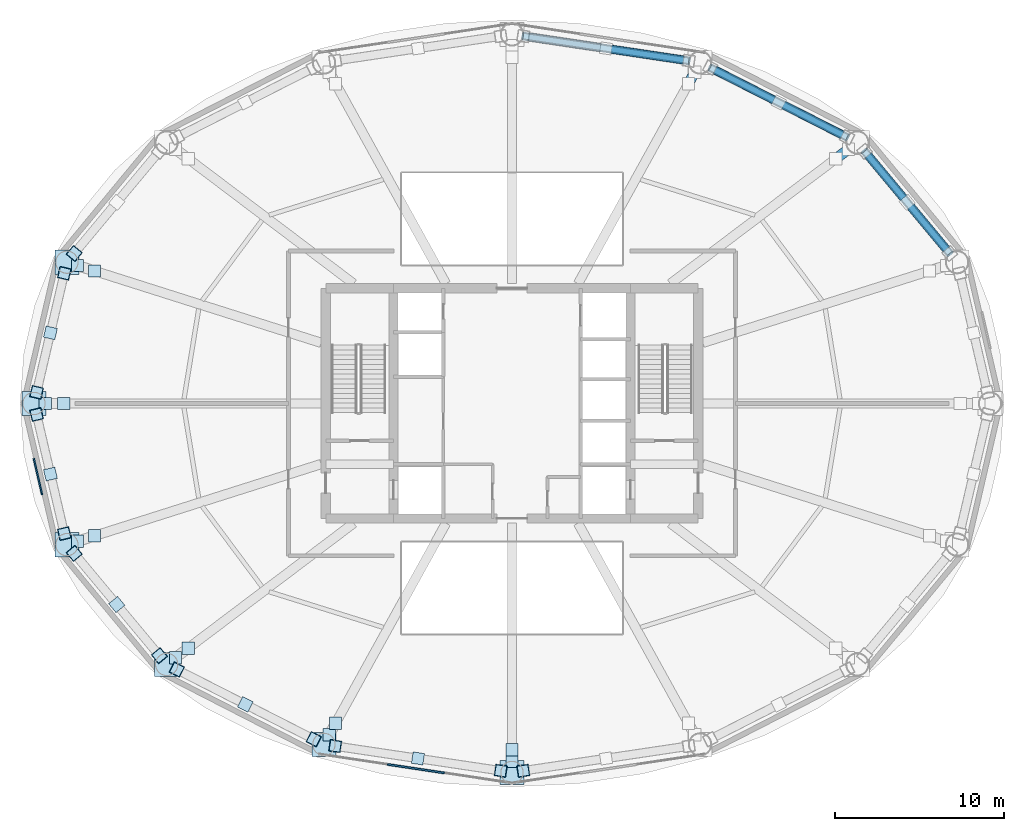
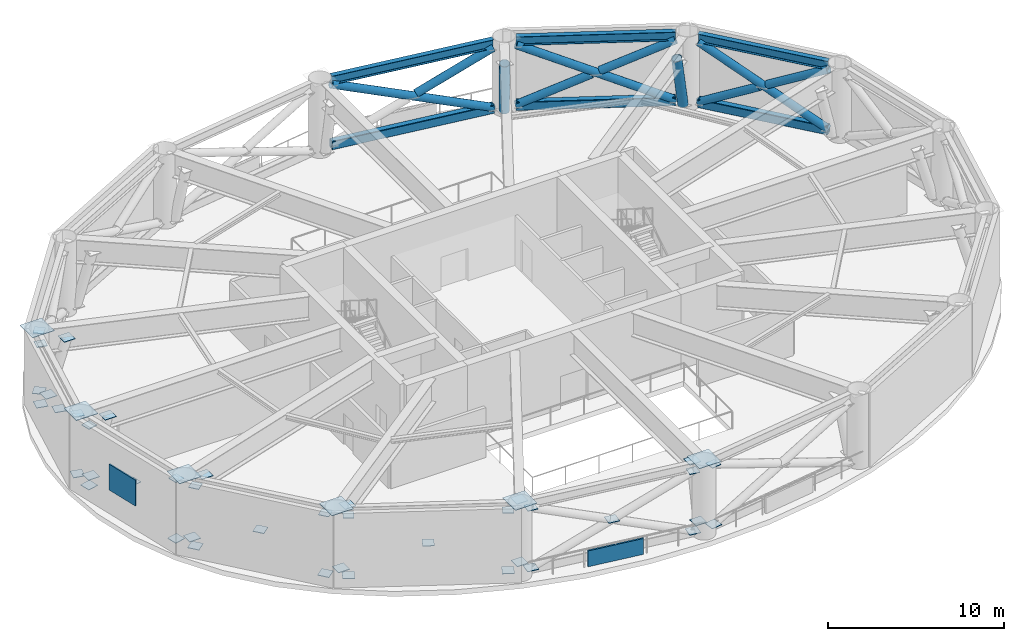
# One storey, part 3 of 8: 49 plates, 13 members, 3 beams.
"""IFC4 building model written with IfcOpenShell, lengths in metres."""

from ifc_helpers import new_model, si_unit, direction, frame, origin, origin_2d, place, context, subcontext, project, spatial, rectangle, hollow_rectangle, hollow_circle, i_section, extrude, material, layer, layer_set, material_profile, profile_set, type_object, element, save


model = new_model("IFC4")

# Units and contexts
model_context = context("Model", 3, precision=1e-05, world=origin(), true_north=direction((0.0, 1.0)))
body_context = subcontext(model_context, "Body", "Model", "MODEL_VIEW")
ifc_project = project(units=[si_unit("LENGTHUNIT", "METRE"), si_unit("AREAUNIT", "SQUARE_METRE"), si_unit("VOLUMEUNIT", "CUBIC_METRE"), si_unit("PLANEANGLEUNIT", "RADIAN"), si_unit("MASSUNIT", "GRAM", prefix="KILO")], contexts=[model_context])

# Site, building, storey
site_placement = place(None, origin())
site = spatial("IfcSite", under=ifc_project, at=site_placement, CompositionType="ELEMENT")
building_placement = place(site_placement, origin())
building = spatial("IfcBuilding", under=site, at=building_placement, Name="Sarneth Arch Tower", CompositionType="ELEMENT")
storey_placement = place(building_placement, frame((0.0, 0.0, 145.199951171875)))
storey = spatial("IfcBuildingStorey", under=building, at=storey_placement, Name="L36", CompositionType="ELEMENT", Elevation=145.199951171875)

# Beams
ifc_material_1 = material(Name="Steel S355", Category="steel")
ifc_material_profile_1 = material_profile(ifc_material_1, i_section(OverallWidth=0.323974609375, OverallDepth=0.611083984375, WebThickness=0.0126953125, FlangeThickness=0.01904296875, FilletRadius=0.01904296875, at=origin_2d()), Name="W610x155")
ifc_profile_set_1 = profile_set([ifc_material_profile_1], Name="Steel S355")
beam_type = type_object("IfcBeamType", Name="BM-SPAN-610B", PredefinedType="SPANDREL", material=ifc_profile_set_1)
beam_1_placement = place(storey_placement, frame((73.859130859375, 50.861083984375, 4.844482421875), z_axis=(-0.640169116175, 0.768234015581, 0.0), x_axis=(-0.768234015581, -0.640169116175, 0.0)))
element("IfcBeam", 1, at=beam_1_placement, inside=storey, type_object=beam_type, Name="L36 Perimeter spandrel beam 02", PredefinedType="SPANDREL", context=body_context, shape_type="SweptSolid", body=[
    extrude(i_section(OverallWidth=0.323974609375, OverallDepth=0.611083984375, WebThickness=0.0126953125, FlangeThickness=0.01904296875, FilletRadius=0.01904296875, at=origin_2d()), origin(), (0.0, 0.0, 1.0), 7.856201171875),
])
beam_2_placement = place(storey_placement, frame((67.796142578125, 57.720947265625, 4.844482421875), z_axis=(-0.891255891792, 0.453500755619, 0.0), x_axis=(-0.453500755619, -0.891255891792, 0.0)))
element("IfcBeam", 2, at=beam_2_placement, inside=storey, type_object=beam_type, Name="L36 Perimeter spandrel beam 03", PredefinedType="SPANDREL", context=body_context, shape_type="SweptSolid", body=[
    extrude(i_section(OverallWidth=0.323974609375, OverallDepth=0.611083984375, WebThickness=0.0126953125, FlangeThickness=0.01904296875, FilletRadius=0.01904296875, at=origin_2d()), origin(), (0.0, 0.0, 1.0), 9.070556640625),
])
beam_3_placement = place(storey_placement, frame((58.442626953125, 62.240234375, 4.844482421875), z_axis=(-0.989029828744, 0.147715936359, 0.0), x_axis=(-0.147715936359, -0.989029828744, 0.0)))
element("IfcBeam", 3, at=beam_3_placement, inside=storey, type_object=beam_type, Name="L36 Perimeter spandrel beam 04", PredefinedType="SPANDREL", context=body_context, shape_type="SweptSolid", body=[
    extrude(i_section(OverallWidth=0.323974609375, OverallDepth=0.611083984375, WebThickness=0.0126953125, FlangeThickness=0.01904296875, FilletRadius=0.01904296875, at=origin_2d()), origin(), (0.0, 0.0, 1.0), 9.883544921875),
])

# Members
ifc_material_2 = material(Name="Steel S355", Category="steel")
ifc_material_profile_2 = material_profile(ifc_material_2, hollow_rectangle(XDim=0.39990234375, YDim=0.60009765625, WallThickness=0.02197265625, InnerFilletRadius=0.032958984375, OuterFilletRadius=0.054931640625, at=origin_2d()), Name="RHS600x400x22")
ifc_profile_set_2 = profile_set([ifc_material_profile_2], Name="Steel S355")
member_type_1 = type_object("IfcMemberType", Name="MEM-BELT-CHORD", PredefinedType="CHORD", material=ifc_profile_set_2)
member_1_placement = place(storey_placement, frame((73.859130859375, 50.861083984375, 0.35009765625), z_axis=(-0.640169116175, 0.768234015581, 0.0), x_axis=(-0.768234015581, -0.640169116175, 0.0)))
element("IfcMember", 4, at=member_1_placement, inside=storey, type_object=member_type_1, Name="L36 Ring belt bottom chord 02", PredefinedType="CHORD", context=body_context, shape_type="SweptSolid", body=[
    extrude(hollow_rectangle(XDim=0.39990234375, YDim=0.60009765625, WallThickness=0.02197265625, InnerFilletRadius=0.032958984375, OuterFilletRadius=0.054931640625, at=origin_2d()), origin(), (0.0, 0.0, 1.0), 7.856201171875),
])
member_2_placement = place(storey_placement, frame((67.796142578125, 57.720947265625, 0.35009765625), z_axis=(-0.891255891792, 0.453500755619, 0.0), x_axis=(-0.453500755619, -0.891255891792, 0.0)))
element("IfcMember", 5, at=member_2_placement, inside=storey, type_object=member_type_1, Name="L36 Ring belt bottom chord 03", PredefinedType="CHORD", context=body_context, shape_type="SweptSolid", body=[
    extrude(hollow_rectangle(XDim=0.39990234375, YDim=0.60009765625, WallThickness=0.02197265625, InnerFilletRadius=0.032958984375, OuterFilletRadius=0.054931640625, at=origin_2d()), origin(), (0.0, 0.0, 1.0), 9.070556640625),
])
member_3_placement = place(storey_placement, frame((58.442626953125, 62.240234375, 0.35009765625), z_axis=(-0.989029828744, 0.147715936359, 0.0), x_axis=(-0.147715936359, -0.989029828744, 0.0)))
element("IfcMember", 6, at=member_3_placement, inside=storey, type_object=member_type_1, Name="L36 Ring belt bottom chord 04", PredefinedType="CHORD", context=body_context, shape_type="SweptSolid", body=[
    extrude(hollow_rectangle(XDim=0.39990234375, YDim=0.60009765625, WallThickness=0.02197265625, InnerFilletRadius=0.032958984375, OuterFilletRadius=0.054931640625, at=origin_2d()), origin(), (0.0, 0.0, 1.0), 9.883544921875),
])
ifc_material_3 = material(Name="Steel S355", Category="steel")
ifc_material_profile_3 = material_profile(ifc_material_3, hollow_circle(Radius=0.304931640625, WallThickness=0.02001953125, at=origin_2d()), Name="CHS610x20")
ifc_profile_set_3 = profile_set([ifc_material_profile_3], Name="Steel S355")
member_type_2 = type_object("IfcMemberType", Name="MEM-BELT-DIAG1", PredefinedType="BRACE", material=ifc_profile_set_3)
member_4_placement = place(storey_placement, frame((67.875, 57.020263671875, 0.449951171875), z_axis=(-0.189831474095, -0.143374034948, 0.971291870421), x_axis=(0.602688067881, -0.797976874874, 0.0)))
element("IfcMember", 7, at=member_4_placement, inside=storey, type_object=member_type_2, Name="L36 Step-taper inclined transfer strut 03", PredefinedType="BRACE", context=body_context, shape_type="SweptSolid", body=[
    extrude(hollow_circle(Radius=0.304931640625, WallThickness=0.02001953125, at=origin_2d()), origin(), (0.0, 0.0, 1.0), 3.904541015625),
])
member_5_placement = place(storey_placement, frame((58.793701171875, 61.567138671875, 0.449951171875), z_axis=(-0.096084544586, -0.174125635626, 0.980024501382), x_axis=(0.875545294298, -0.483136044643, 0.0)))
element("IfcMember", 8, at=member_5_placement, inside=storey, type_object=member_type_2, Name="L36 Step-taper inclined transfer strut 04", PredefinedType="BRACE", context=body_context, shape_type="SweptSolid", body=[
    extrude(hollow_circle(Radius=0.304931640625, WallThickness=0.02001953125, at=origin_2d()), origin(), (0.0, 0.0, 1.0), 3.869873046875),
])
ifc_material_4 = material(Name="Steel S355", Category="steel")
ifc_material_profile_4 = material_profile(ifc_material_4, hollow_circle(Radius=0.25390625, WallThickness=0.01611328125, at=origin_2d()), Name="CHS508x16")
ifc_profile_set_4 = profile_set([ifc_material_profile_4], Name="Steel S355")
member_type_3 = type_object("IfcMemberType", Name="MEM-BELT-DIAG2", PredefinedType="BRACE", material=ifc_profile_set_4)
member_6_placement = place(storey_placement, frame((73.859130859375, 50.861083984375, 0.35009765625), z_axis=(-0.56548235533, 0.678606276995, 0.468746441729), x_axis=(-0.768234015581, -0.640169116175, 0.0)))
element("IfcMember", 9, at=member_6_placement, inside=storey, type_object=member_type_3, Name="L36 Ring belt continuous diagonal A02", PredefinedType="BRACE", context=body_context, shape_type="SweptSolid", body=[
    extrude(hollow_circle(Radius=0.25390625, WallThickness=0.01611328125, at=origin_2d()), origin(), (0.0, 0.0, 1.0), 8.893798828125),
])
member_7_placement = place(storey_placement, frame((68.829833984375, 56.896484375, 0.35009765625), z_axis=(0.565475776654, -0.678617468414, 0.468738175937), x_axis=(0.768242870358, 0.640158489864, 0.0)))
element("IfcMember", 10, at=member_7_placement, inside=storey, type_object=member_type_3, Name="L36 Ring belt split diagonal B1-02", PredefinedType="BRACE", context=body_context, shape_type="SweptSolid", body=[
    extrude(hollow_circle(Radius=0.25390625, WallThickness=0.01611328125, at=origin_2d()), origin(), (0.0, 0.0, 1.0), 4.197021484375),
])
member_8_placement = place(storey_placement, frame((71.48583984375, 53.708984375, 2.5517578125), z_axis=(0.565498099482, -0.678586084812, 0.468756679933), x_axis=(0.768215881498, 0.640190877329, 0.0)))
element("IfcMember", 11, at=member_8_placement, inside=storey, type_object=member_type_3, Name="L36 Ring belt split diagonal B2-02", PredefinedType="BRACE", context=body_context, shape_type="SweptSolid", body=[
    extrude(hollow_circle(Radius=0.25390625, WallThickness=0.01611328125, at=origin_2d()), origin(), (0.0, 0.0, 1.0), 4.19677734375),
])
member_9_placement = place(storey_placement, frame((67.796142578125, 57.720947265625, 0.35009765625), z_axis=(-0.809817152588, 0.412062005978, 0.417613556537), x_axis=(-0.453500755619, -0.891255891792, 0.0)))
element("IfcMember", 12, at=member_9_placement, inside=storey, type_object=member_type_3, Name="L36 Ring belt continuous diagonal A03", PredefinedType="BRACE", context=body_context, shape_type="SweptSolid", body=[
    extrude(hollow_circle(Radius=0.25390625, WallThickness=0.01611328125, at=origin_2d()), origin(), (0.0, 0.0, 1.0), 9.982666015625),
])
member_10_placement = place(storey_placement, frame((59.7119140625, 61.83447265625, 0.35009765625), z_axis=(0.809828529359, -0.412046028609, 0.417607259687), x_axis=(0.453481727105, 0.891265573879, 0.0)))
element("IfcMember", 13, at=member_10_placement, inside=storey, type_object=member_type_3, Name="L36 Ring belt split diagonal B1-03", PredefinedType="BRACE", context=body_context, shape_type="SweptSolid", body=[
    extrude(hollow_circle(Radius=0.25390625, WallThickness=0.01611328125, at=origin_2d()), origin(), (0.0, 0.0, 1.0), 4.7412109375),
])
member_11_placement = place(storey_placement, frame((63.956298828125, 59.6748046875, 2.5390625), z_axis=(0.809829068999, -0.412071594557, 0.417580986113), x_axis=(0.453503837285, 0.89125432373, 0.0)))
element("IfcMember", 14, at=member_11_placement, inside=storey, type_object=member_type_3, Name="L36 Ring belt split diagonal B2-03", PredefinedType="BRACE", context=body_context, shape_type="SweptSolid", body=[
    extrude(hollow_circle(Radius=0.25390625, WallThickness=0.01611328125, at=origin_2d()), origin(), (0.0, 0.0, 1.0), 4.741455078125),
])
member_12_placement = place(storey_placement, frame((58.442626953125, 62.240234375, 0.35009765625), z_axis=(-0.91127929484, 0.136103553614, 0.388646200921), x_axis=(-0.147715936359, -0.989029828744, 0.0)))
element("IfcMember", 15, at=member_12_placement, inside=storey, type_object=member_type_3, Name="L36 Ring belt continuous diagonal A04", PredefinedType="BRACE", context=body_context, shape_type="SweptSolid", body=[
    extrude(hollow_circle(Radius=0.25390625, WallThickness=0.01611328125, at=origin_2d()), origin(), (0.0, 0.0, 1.0), 10.726806640625),
])
member_13_placement = place(storey_placement, frame((53.782958984375, 62.936279296875, 2.53173828125), z_axis=(0.911274714208, -0.136123033124, 0.388650119127), x_axis=(0.147737342868, 0.989026631351, 0.0)))
element("IfcMember", 16, at=member_13_placement, inside=storey, type_object=member_type_3, Name="L36 Ring belt split diagonal B2-04", PredefinedType="BRACE", context=body_context, shape_type="SweptSolid", body=[
    extrude(hollow_circle(Radius=0.25390625, WallThickness=0.01611328125, at=origin_2d()), origin(), (0.0, 0.0, 1.0), 5.11328125),
])

# Plates
ifc_material_5 = material(Name="Powder-coated Aluminium 6063-T6 stormproof acoustic louvre", Category="aluminium")
ifc_layer_1 = layer(ifc_material_5, 0.094970703125)
ifc_layer_set_1 = layer_set([ifc_layer_1], Name="Powder-coated Aluminium 6063-T6 stormproof acoustic louvre")
plate_type_1 = type_object("IfcPlateType", Name="LOUVRE-PLANT", PredefinedType="SHEET", material=ifc_layer_set_1)
plate_1_placement = place(storey_placement, frame((19.998779296875, 37.67431640625, 1.6748046875), z_axis=(0.0, 0.0, 1.0), x_axis=(0.2256312381, -0.974212781888, 0.0)))
element("IfcPlate", 17, at=plate_1_placement, inside=storey, type_object=plate_type_1, Name="L36 Mechanical louvre 09", PredefinedType="SHEET", context=body_context, shape_type="SweptSolid", body=[
    extrude(rectangle(XDim=2.199951171875, YDim=0.094970703125, at=origin_2d()), origin(), (0.0, 0.0, 1.0), 1.800048828125),
])
ifc_material_6 = material(Name="Aerodynamic Aluminium 6063-T6 wind-slot intake louvre", Category="aluminium")
ifc_layer_2 = layer(ifc_material_6, 0.110107421875)
ifc_layer_set_2 = layer_set([ifc_layer_2], Name="Aerodynamic Aluminium 6063-T6 wind-slot intake louvre")
plate_type_2 = type_object("IfcPlateType", Name="LOUVRE-TURBINE", PredefinedType="SHEET", material=ifc_layer_set_2)
plate_2_placement = place(storey_placement, frame((42.324462890625, 20.423583984375, 0.0), z_axis=(0.0, 0.0, 1.0), x_axis=(0.988886498745, -0.148672433897, 0.0)))
element("IfcPlate", 18, at=plate_2_placement, inside=storey, type_object=plate_type_2, Name="L36 Wind-slot aerodynamic intake louvre 12", PredefinedType="SHEET", context=body_context, shape_type="SweptSolid", body=[
    extrude(rectangle(XDim=3.39990234375, YDim=0.110107421875, at=origin_2d()), origin(), (0.0, 0.0, 1.0), 1.10009765625),
])
ifc_material_7 = material(Name="Steel S355", Category="steel")
ifc_layer_3 = layer(ifc_material_7, 0.035888671875)
ifc_layer_set_3 = layer_set([ifc_layer_3], Name="Steel S355")
plate_type_3 = type_object("IfcPlateType", Name="PLT-GUSSET-30", PredefinedType="SHEET", material=ifc_layer_set_3)
plate_3_placement = place(storey_placement, frame((22.140869140625, 50.861083984375, 0.33203125), z_axis=(0.0, 0.0, 1.0), x_axis=(-0.640109699485, -0.768283523594, 0.0)))
element("IfcPlate", 19, at=plate_3_placement, inside=storey, type_object=plate_type_3, Name="Steel end cap plate GP-1", PredefinedType="SHEET", context=body_context, shape_type="SweptSolid", body=[
    extrude(rectangle(XDim=0.699951171875, YDim=0.699951171875, at=origin_2d()), origin(), (0.0, 0.0, 1.0), 0.035888671875),
])
plate_4_placement = place(storey_placement, frame((22.140869140625, 50.861083984375, 4.5009765625), z_axis=(0.0, 0.0, 1.0), x_axis=(-0.640109699485, -0.768283523594, 0.0)))
element("IfcPlate", 20, at=plate_4_placement, inside=storey, type_object=plate_type_3, Name="Steel end cap plate GP-1", PredefinedType="SHEET", context=body_context, shape_type="SweptSolid", body=[
    extrude(rectangle(XDim=0.6298828125, YDim=0.6298828125, at=origin_2d()), origin(), (0.0, 0.0, 1.0), 0.035888671875),
])
plate_5_placement = place(storey_placement, frame((20.736083984375, 46.171142578125, 2.41650390625), z_axis=(0.0, 0.0, 1.0), x_axis=(-0.227161248969, -0.973857159427, 0.0)))
element("IfcPlate", 21, at=plate_5_placement, inside=storey, type_object=plate_type_3, Name="Steel end cap plate GP-1", PredefinedType="SHEET", context=body_context, shape_type="SweptSolid", body=[
    extrude(rectangle(XDim=0.679931640625, YDim=0.679931640625, at=origin_2d()), origin(), (0.0, 0.0, 1.0), 0.035888671875),
])
for number, where, z_axis, x_axis, name in (
    (22, (21.555419921875, 49.68505859375, 0.33203125), (0.0, 0.0, 1.0), (0.227161248969, 0.973857159427, 0.0), "Steel end cap plate GP-1"),
    (23, (19.916748046875, 42.657470703125, 0.33203125), (0.0, 0.0, 1.0), (-0.227161248969, -0.973857159427, 0.0), "Steel end cap plate GP-1"),
):
    element("IfcPlate", number, at=place(storey_placement, frame(where, z_axis=z_axis, x_axis=x_axis)), inside=storey, type_object=plate_type_3, Name=name, PredefinedType="SHEET", context=body_context, shape_type="SweptSolid", body=[
        extrude(rectangle(XDim=0.699951171875, YDim=0.699951171875, at=origin_2d()), origin(), (0.0, 0.0, 1.0), 0.035888671875),
    ])
for number, where, z_axis, x_axis, name in (
    (24, (21.555419921875, 49.68505859375, 4.5009765625), (0.0, 0.0, 1.0), (0.227161248969, 0.973857159427, 0.0), "Steel end cap plate GP-1"),
    (25, (19.916748046875, 42.657470703125, 4.5009765625), (0.0, 0.0, 1.0), (-0.227161248969, -0.973857159427, 0.0), "Steel end cap plate GP-1"),
):
    element("IfcPlate", number, at=place(storey_placement, frame(where, z_axis=z_axis, x_axis=x_axis)), inside=storey, type_object=plate_type_3, Name=name, PredefinedType="SHEET", context=body_context, shape_type="SweptSolid", body=[
        extrude(rectangle(XDim=0.6298828125, YDim=0.6298828125, at=origin_2d()), origin(), (0.0, 0.0, 1.0), 0.035888671875),
    ])
for number, where, z_axis, x_axis, name in (
    (26, (22.333251953125, 50.14453125, 0.43212890625), (0.0, 0.0, 1.0), (1.0, 0.0, 0.0), "Steel end cap plate GP-1"),
    (27, (23.337890625, 49.825927734375, 4.224609375), (0.0, 0.0, 1.0), (1.0, 0.0, 0.0), "Steel end cap plate GP-1"),
):
    element("IfcPlate", number, at=place(storey_placement, frame(where, z_axis=z_axis, x_axis=x_axis)), inside=storey, type_object=plate_type_3, Name=name, PredefinedType="SHEET", context=body_context, shape_type="SweptSolid", body=[
        extrude(rectangle(XDim=0.72998046875, YDim=0.72998046875, at=origin_2d()), origin(), (0.0, 0.0, 1.0), 0.035888671875),
    ])
plate_6_placement = place(storey_placement, frame((20.736083984375, 37.828857421875, 2.41650390625), z_axis=(0.0, 0.0, 1.0), x_axis=(0.227161248969, -0.973857159427, 0.0)))
element("IfcPlate", 28, at=plate_6_placement, inside=storey, type_object=plate_type_3, Name="Steel end cap plate GP-1", PredefinedType="SHEET", context=body_context, shape_type="SweptSolid", body=[
    extrude(rectangle(XDim=0.679931640625, YDim=0.679931640625, at=origin_2d()), origin(), (0.0, 0.0, 1.0), 0.035888671875),
])
for number, where, z_axis, x_axis, name in (
    (29, (19.916748046875, 41.342529296875, 0.33203125), (0.0, 0.0, 1.0), (-0.227161248969, 0.973857159427, 0.0), "Steel end cap plate GP-1"),
    (30, (21.555419921875, 34.31494140625, 0.33203125), (0.0, 0.0, 1.0), (0.227161248969, -0.973857159427, 0.0), "Steel end cap plate GP-1"),
):
    element("IfcPlate", number, at=place(storey_placement, frame(where, z_axis=z_axis, x_axis=x_axis)), inside=storey, type_object=plate_type_3, Name=name, PredefinedType="SHEET", context=body_context, shape_type="SweptSolid", body=[
        extrude(rectangle(XDim=0.699951171875, YDim=0.699951171875, at=origin_2d()), origin(), (0.0, 0.0, 1.0), 0.035888671875),
    ])
for number, where, z_axis, x_axis, name in (
    (31, (19.916748046875, 41.342529296875, 4.5009765625), (0.0, 0.0, 1.0), (-0.227161248969, 0.973857159427, 0.0), "Steel end cap plate GP-1"),
    (32, (21.555419921875, 34.31494140625, 4.5009765625), (0.0, 0.0, 1.0), (0.227161248969, -0.973857159427, 0.0), "Steel end cap plate GP-1"),
):
    element("IfcPlate", number, at=place(storey_placement, frame(where, z_axis=z_axis, x_axis=x_axis)), inside=storey, type_object=plate_type_3, Name=name, PredefinedType="SHEET", context=body_context, shape_type="SweptSolid", body=[
        extrude(rectangle(XDim=0.6298828125, YDim=0.6298828125, at=origin_2d()), origin(), (0.0, 0.0, 1.0), 0.035888671875),
    ])
for number, where, z_axis, x_axis, name in (
    (33, (20.41845703125, 42.0, 0.43212890625), (0.0, 0.0, 1.0), (1.0, 0.0, 0.0), "Steel end cap plate GP-1"),
    (34, (21.512939453125, 42.0, 4.224609375), (0.0, 0.0, 1.0), (1.0, 0.0, 0.0), "Steel end cap plate GP-1"),
):
    element("IfcPlate", number, at=place(storey_placement, frame(where, z_axis=z_axis, x_axis=x_axis)), inside=storey, type_object=plate_type_3, Name=name, PredefinedType="SHEET", context=body_context, shape_type="SweptSolid", body=[
        extrude(rectangle(XDim=0.72998046875, YDim=0.72998046875, at=origin_2d()), origin(), (0.0, 0.0, 1.0), 0.035888671875),
    ])
plate_7_placement = place(storey_placement, frame((24.655517578125, 30.121337890625, 2.41650390625), z_axis=(0.0, 0.0, 1.0), x_axis=(0.640109699485, -0.768283523594, 0.0)))
element("IfcPlate", 35, at=plate_7_placement, inside=storey, type_object=plate_type_3, Name="Steel end cap plate GP-1", PredefinedType="SHEET", context=body_context, shape_type="SweptSolid", body=[
    extrude(rectangle(XDim=0.679931640625, YDim=0.679931640625, at=origin_2d()), origin(), (0.0, 0.0, 1.0), 0.035888671875),
])
for number, where, z_axis, x_axis, name in (
    (36, (22.140869140625, 33.138916015625, 0.33203125), (0.0, 0.0, 1.0), (-0.640109699485, 0.768283523594, 0.0), "Steel end cap plate GP-1"),
    (37, (27.170166015625, 27.103515625, 0.33203125), (0.0, 0.0, 1.0), (0.640109699485, -0.768283523594, 0.0), "Steel end cap plate GP-1"),
):
    element("IfcPlate", number, at=place(storey_placement, frame(where, z_axis=z_axis, x_axis=x_axis)), inside=storey, type_object=plate_type_3, Name=name, PredefinedType="SHEET", context=body_context, shape_type="SweptSolid", body=[
        extrude(rectangle(XDim=0.699951171875, YDim=0.699951171875, at=origin_2d()), origin(), (0.0, 0.0, 1.0), 0.035888671875),
    ])
for number, where, z_axis, x_axis, name in (
    (38, (22.140869140625, 33.138916015625, 4.5009765625), (0.0, 0.0, 1.0), (-0.640109699485, 0.768283523594, 0.0), "Steel end cap plate GP-1"),
    (39, (27.170166015625, 27.103515625, 4.5009765625), (0.0, 0.0, 1.0), (0.640109699485, -0.768283523594, 0.0), "Steel end cap plate GP-1"),
):
    element("IfcPlate", number, at=place(storey_placement, frame(where, z_axis=z_axis, x_axis=x_axis)), inside=storey, type_object=plate_type_3, Name=name, PredefinedType="SHEET", context=body_context, shape_type="SweptSolid", body=[
        extrude(rectangle(XDim=0.6298828125, YDim=0.6298828125, at=origin_2d()), origin(), (0.0, 0.0, 1.0), 0.035888671875),
    ])
for number, where, z_axis, x_axis, name in (
    (40, (22.333251953125, 33.85546875, 0.43212890625), (0.0, 0.0, 1.0), (1.0, 0.0, 0.0), "Steel end cap plate GP-1"),
    (41, (23.337890625, 34.174072265625, 4.224609375), (0.0, 0.0, 1.0), (1.0, 0.0, 0.0), "Steel end cap plate GP-1"),
):
    element("IfcPlate", number, at=place(storey_placement, frame(where, z_axis=z_axis, x_axis=x_axis)), inside=storey, type_object=plate_type_3, Name=name, PredefinedType="SHEET", context=body_context, shape_type="SweptSolid", body=[
        extrude(rectangle(XDim=0.72998046875, YDim=0.72998046875, at=origin_2d()), origin(), (0.0, 0.0, 1.0), 0.035888671875),
    ])
plate_8_placement = place(storey_placement, frame((32.24609375, 24.22216796875, 2.41650390625), z_axis=(0.0, 0.0, 1.0), x_axis=(0.89124411091, -0.453523907604, 0.0)))
element("IfcPlate", 42, at=plate_8_placement, inside=storey, type_object=plate_type_3, Name="Steel end cap plate GP-1", PredefinedType="SHEET", context=body_context, shape_type="SweptSolid", body=[
    extrude(rectangle(XDim=0.679931640625, YDim=0.679931640625, at=origin_2d()), origin(), (0.0, 0.0, 1.0), 0.035888671875),
])
for number, where, z_axis, x_axis, name in (
    (43, (28.203857421875, 26.279052734375, 0.33203125), (0.0, 0.0, 1.0), (-0.89124411091, 0.453523907604, 0.0), "Steel end cap plate GP-1"),
    (44, (36.2880859375, 22.16552734375, 0.33203125), (0.0, 0.0, 1.0), (0.89124411091, -0.453523907604, 0.0), "Steel end cap plate GP-1"),
):
    element("IfcPlate", number, at=place(storey_placement, frame(where, z_axis=z_axis, x_axis=x_axis)), inside=storey, type_object=plate_type_3, Name=name, PredefinedType="SHEET", context=body_context, shape_type="SweptSolid", body=[
        extrude(rectangle(XDim=0.699951171875, YDim=0.699951171875, at=origin_2d()), origin(), (0.0, 0.0, 1.0), 0.035888671875),
    ])
for number, where, z_axis, x_axis, name in (
    (45, (28.203857421875, 26.279052734375, 4.5009765625), (0.0, 0.0, 1.0), (-0.89124411091, 0.453523907604, 0.0), "Steel end cap plate GP-1"),
    (46, (36.2880859375, 22.16552734375, 4.5009765625), (0.0, 0.0, 1.0), (0.89124411091, -0.453523907604, 0.0), "Steel end cap plate GP-1"),
):
    element("IfcPlate", number, at=place(storey_placement, frame(where, z_axis=z_axis, x_axis=x_axis)), inside=storey, type_object=plate_type_3, Name=name, PredefinedType="SHEET", context=body_context, shape_type="SweptSolid", body=[
        extrude(rectangle(XDim=0.6298828125, YDim=0.6298828125, at=origin_2d()), origin(), (0.0, 0.0, 1.0), 0.035888671875),
    ])
for number, where, z_axis, x_axis, name in (
    (47, (28.125, 26.979736328125, 0.43212890625), (0.0, 0.0, 1.0), (1.0, 0.0, 0.0), "Steel end cap plate GP-1"),
    (48, (28.8662109375, 27.53955078125, 4.224609375), (0.0, 0.0, 1.0), (1.0, 0.0, 0.0), "Steel end cap plate GP-1"),
):
    element("IfcPlate", number, at=place(storey_placement, frame(where, z_axis=z_axis, x_axis=x_axis)), inside=storey, type_object=plate_type_3, Name=name, PredefinedType="SHEET", context=body_context, shape_type="SweptSolid", body=[
        extrude(rectangle(XDim=0.72998046875, YDim=0.72998046875, at=origin_2d()), origin(), (0.0, 0.0, 1.0), 0.035888671875),
    ])
plate_9_placement = place(storey_placement, frame((42.44482421875, 21.02978515625, 2.41650390625), z_axis=(0.0, 0.0, 1.0), x_axis=(0.989041645907, -0.147636793048, 0.0)))
element("IfcPlate", 49, at=plate_9_placement, inside=storey, type_object=plate_type_3, Name="Steel end cap plate GP-1", PredefinedType="SHEET", context=body_context, shape_type="SweptSolid", body=[
    extrude(rectangle(XDim=0.679931640625, YDim=0.679931640625, at=origin_2d()), origin(), (0.0, 0.0, 1.0), 0.035888671875),
])
for number, where, z_axis, x_axis, name in (
    (50, (37.557373046875, 21.759765625, 0.33203125), (0.0, 0.0, 1.0), (-0.989041645907, 0.147636793048, 0.0), "Steel end cap plate GP-1"),
    (51, (47.33251953125, 20.2998046875, 0.33203125), (0.0, 0.0, 1.0), (0.989041645907, -0.147636793048, 0.0), "Steel end cap plate GP-1"),
):
    element("IfcPlate", number, at=place(storey_placement, frame(where, z_axis=z_axis, x_axis=x_axis)), inside=storey, type_object=plate_type_3, Name=name, PredefinedType="SHEET", context=body_context, shape_type="SweptSolid", body=[
        extrude(rectangle(XDim=0.699951171875, YDim=0.699951171875, at=origin_2d()), origin(), (0.0, 0.0, 1.0), 0.035888671875),
    ])
for number, where, z_axis, x_axis, name in (
    (52, (37.557373046875, 21.759765625, 4.5009765625), (0.0, 0.0, 1.0), (-0.989041645907, 0.147636793048, 0.0), "Steel end cap plate GP-1"),
    (53, (47.33251953125, 20.2998046875, 4.5009765625), (0.0, 0.0, 1.0), (0.989041645907, -0.147636793048, 0.0), "Steel end cap plate GP-1"),
):
    element("IfcPlate", number, at=place(storey_placement, frame(where, z_axis=z_axis, x_axis=x_axis)), inside=storey, type_object=plate_type_3, Name=name, PredefinedType="SHEET", context=body_context, shape_type="SweptSolid", body=[
        extrude(rectangle(XDim=0.6298828125, YDim=0.6298828125, at=origin_2d()), origin(), (0.0, 0.0, 1.0), 0.035888671875),
    ])
for number, where, z_axis, x_axis, name in (
    (54, (37.206298828125, 22.432861328125, 0.43212890625), (0.0, 0.0, 1.0), (1.0, 0.0, 0.0), "Steel end cap plate GP-1"),
    (55, (37.578125, 23.106689453125, 4.224609375), (0.0, 0.0, 1.0), (1.0, 0.0, 0.0), "Steel end cap plate GP-1"),
):
    element("IfcPlate", number, at=place(storey_placement, frame(where, z_axis=z_axis, x_axis=x_axis)), inside=storey, type_object=plate_type_3, Name=name, PredefinedType="SHEET", context=body_context, shape_type="SweptSolid", body=[
        extrude(rectangle(XDim=0.72998046875, YDim=0.72998046875, at=origin_2d()), origin(), (0.0, 0.0, 1.0), 0.035888671875),
    ])
plate_10_placement = place(storey_placement, frame((48.66748046875, 20.2998046875, 0.33203125), z_axis=(0.0, 0.0, 1.0), x_axis=(-0.989041645907, -0.147636793048, 0.0)))
element("IfcPlate", 56, at=plate_10_placement, inside=storey, type_object=plate_type_3, Name="Steel end cap plate GP-1", PredefinedType="SHEET", context=body_context, shape_type="SweptSolid", body=[
    extrude(rectangle(XDim=0.699951171875, YDim=0.699951171875, at=origin_2d()), origin(), (0.0, 0.0, 1.0), 0.035888671875),
])
plate_11_placement = place(storey_placement, frame((48.66748046875, 20.2998046875, 4.5009765625), z_axis=(0.0, 0.0, 1.0), x_axis=(-0.989041645907, -0.147636793048, 0.0)))
element("IfcPlate", 57, at=plate_11_placement, inside=storey, type_object=plate_type_3, Name="Steel end cap plate GP-1", PredefinedType="SHEET", context=body_context, shape_type="SweptSolid", body=[
    extrude(rectangle(XDim=0.6298828125, YDim=0.6298828125, at=origin_2d()), origin(), (0.0, 0.0, 1.0), 0.035888671875),
])
for number, where, z_axis, x_axis, name in (
    (58, (48.0, 20.85498046875, 0.43212890625), (0.0, 0.0, 1.0), (1.0, 0.0, 0.0), "Steel end cap plate GP-1"),
    (59, (48.0, 21.550048828125, 4.224609375), (0.0, 0.0, 1.0), (1.0, 0.0, 0.0), "Steel end cap plate GP-1"),
):
    element("IfcPlate", number, at=place(storey_placement, frame(where, z_axis=z_axis, x_axis=x_axis)), inside=storey, type_object=plate_type_3, Name=name, PredefinedType="SHEET", context=body_context, shape_type="SweptSolid", body=[
        extrude(rectangle(XDim=0.72998046875, YDim=0.72998046875, at=origin_2d()), origin(), (0.0, 0.0, 1.0), 0.035888671875),
    ])
ifc_material_8 = material(Name="Steel S355", Category="steel")
ifc_layer_4 = layer(ifc_material_8, 0.0400390625)
ifc_layer_set_4 = layer_set([ifc_layer_4], Name="Steel S355")
plate_type_4 = type_object("IfcPlateType", Name="PLT-SPLICE-40", PredefinedType="SHEET", material=ifc_layer_set_4)
for number, where, z_axis, x_axis, name in (
    (60, (21.708740234375, 50.342529296875, 5.13232421875), (0.0, 0.0, 1.0), (1.0, 0.0, 0.0), "Steel end cap plate GP-2"),
    (61, (19.763427734375, 42.0, 5.13232421875), (0.0, 0.0, 1.0), (1.0, 0.0, 0.0), "Steel end cap plate GP-2"),
    (62, (21.708740234375, 33.657470703125, 5.13232421875), (0.0, 0.0, 1.0), (1.0, 0.0, 0.0), "Steel end cap plate GP-2"),
    (63, (27.602294921875, 26.5849609375, 5.13232421875), (0.0, 0.0, 1.0), (1.0, 0.0, 0.0), "Steel end cap plate GP-2"),
    (64, (36.8896484375, 21.859375, 5.13232421875), (0.0, 0.0, 1.0), (1.0, 0.0, 0.0), "Steel end cap plate GP-2"),
    (65, (48.0, 20.199951171875, 5.13232421875), (0.0, 0.0, 1.0), (1.0, 0.0, 0.0), "Steel end cap plate GP-2"),
):
    element("IfcPlate", number, at=place(storey_placement, frame(where, z_axis=z_axis, x_axis=x_axis)), inside=storey, type_object=plate_type_4, Name=name, PredefinedType="SHEET", context=body_context, shape_type="SweptSolid", body=[
        extrude(rectangle(XDim=1.429931640625, YDim=1.429931640625, at=origin_2d()), origin(), (0.0, 0.0, 1.0), 0.035888671875),
    ])

save(model, "model.ifc")
